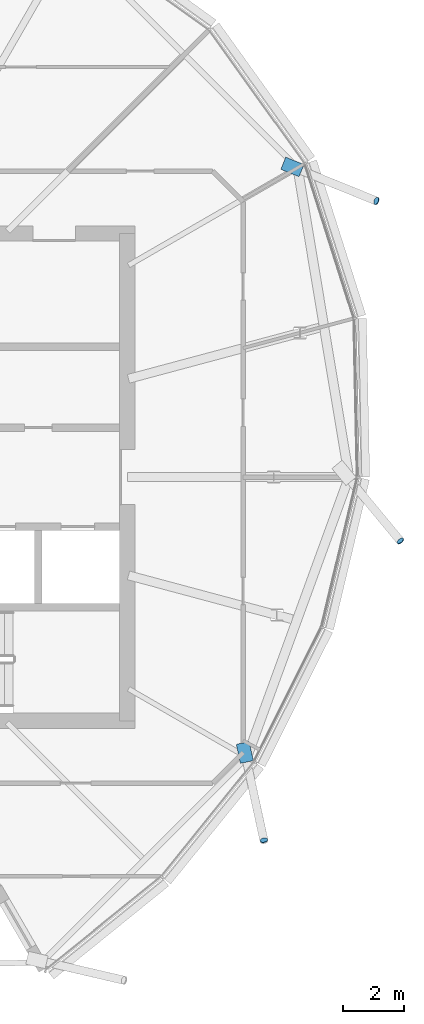
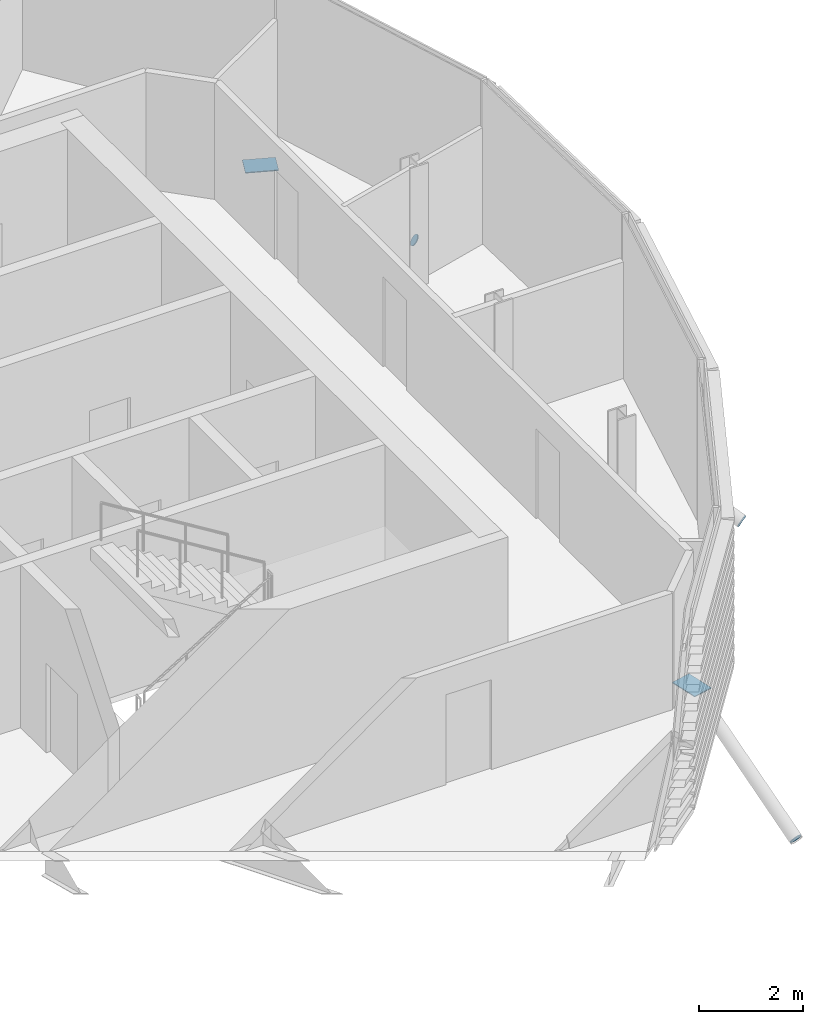
# One storey, part 29 of 35: 5 discrete accessories.
"""IFC4 building model written with IfcOpenShell, lengths in metres."""

from ifc_helpers import new_model, si_unit, direction, frame, origin, origin_2d, place, context, subcontext, project, spatial, polyline, rectangle, circle, outline, extrude, material, material_profile, profile_set, type_object, element, save


model = new_model("IFC4")

# Units and contexts
model_context = context("Model", 3, precision=1e-05, world=origin(), true_north=direction((0.0, 1.0)))
body_context = subcontext(model_context, "Body", "Model", "MODEL_VIEW")
ifc_project = project(units=[si_unit("LENGTHUNIT", "METRE"), si_unit("AREAUNIT", "SQUARE_METRE"), si_unit("VOLUMEUNIT", "CUBIC_METRE"), si_unit("PLANEANGLEUNIT", "RADIAN"), si_unit("MASSUNIT", "GRAM", prefix="KILO")], contexts=[model_context])

# Site, building, storey
site_placement = place(None, origin())
site = spatial("IfcSite", under=ifc_project, at=site_placement, CompositionType="ELEMENT")
building_placement = place(site_placement, origin())
building = spatial("IfcBuilding", under=site, at=building_placement, Name="Rimbun Link Towers", CompositionType="ELEMENT")
storey_placement = place(building_placement, frame((0.0, 0.0, 229.5)))
storey = spatial("IfcBuildingStorey", under=building, at=storey_placement, Name="L56", CompositionType="ELEMENT", Elevation=229.5)

# Discrete accessories
ifc_material_1 = material(Name="Steel S355J2H", Category="steel")
ifc_material_profile_1 = material_profile(ifc_material_1, circle(Radius=0.1240234375, at=origin_2d()), Name="PL D248")
ifc_profile_set_1 = profile_set([ifc_material_profile_1], Name="Steel S355J2H")
discrete_accessory_type_1 = type_object("IfcDiscreteAccessoryType", Name="Link foot sealing plate D248X20", PredefinedType="BRACKET", material=ifc_profile_set_1)
for number, where, z_axis, x_axis, name in (
    (1, (48.234130859375, -11.91796875, -2.5009765625), (0.182035617742, -0.800956718064, -0.570378268924), (0.975132855791, 0.221621103589, 0.0), "Link foot sealing plate T2 L56 19"),
    (2, (52.71044921875, -2.091552734375, -2.607421875), (0.560267806352, -0.669885420638, -0.487189396828), (0.767076870152, 0.641555200491, 0.0), "Link foot sealing plate T2 L56 21"),
    (3, (51.922607421875, 9.068359375, -2.53466796875), (0.766187533692, -0.316204378984, -0.559438516664), (0.38148765511, 0.924373933535, 0.0), "Link foot sealing plate T2 L56 23"),
):
    element("IfcDiscreteAccessory", number, at=place(storey_placement, frame(where, z_axis=z_axis, x_axis=x_axis)), inside=storey, type_object=discrete_accessory_type_1, Name=name, PredefinedType="BRACKET", context=body_context, shape_type="SweptSolid", body=[
        extrude(circle(Radius=0.1240234375, at=origin_2d()), origin(), (0.0, 0.0, 1.0), 0.02001953125),
    ])
ifc_material_2 = material(Name="Steel S355J2H", Category="steel")
ifc_material_profile_2 = material_profile(ifc_material_2, rectangle(XDim=0.43310546875, YDim=0.43310546875, at=origin_2d()), Name="PL 433x433")
ifc_profile_set_2 = profile_set([ifc_material_profile_2], Name="Steel S355J2H")
discrete_accessory_type_2 = type_object("IfcDiscreteAccessoryType", Name="Link head end plate 433X20", PredefinedType="BRACKET", material=ifc_profile_set_2)
discrete_accessory_1_placement = place(storey_placement, frame((0.0, 0.0, -0.46337890625)))
element("IfcDiscreteAccessory", 4, at=discrete_accessory_1_placement, inside=storey, type_object=discrete_accessory_type_2, Name="Link head end plate T2 L56 19", PredefinedType="BRACKET", context=body_context, shape_type="SweptSolid", body=[
    extrude(outline(polyline([(47.32861328125, -8.775390625), (47.464599609375, -9.400390625), (47.8876953125, -9.308349609375), (47.751708984375, -8.683349609375), (47.32861328125, -8.775390625)])), origin(), (0.0, 0.0, 1.0), 0.02001953125),
])
discrete_accessory_2_placement = place(storey_placement, frame((0.0, 0.0, -0.514892578125)))
element("IfcDiscreteAccessory", 5, at=discrete_accessory_2_placement, inside=storey, type_object=discrete_accessory_type_2, Name="Link head end plate T2 L56 23", PredefinedType="BRACKET", context=body_context, shape_type="SweptSolid", body=[
    extrude(outline(polyline([(48.790771484375, 10.102783203125), (49.388916015625, 9.860595703125), (49.551513671875, 10.261962890625), (48.953125, 10.504150390625), (48.790771484375, 10.102783203125)])), origin(), (0.0, 0.0, 1.0), 0.019775390625),
])

save(model, "model.ifc")
